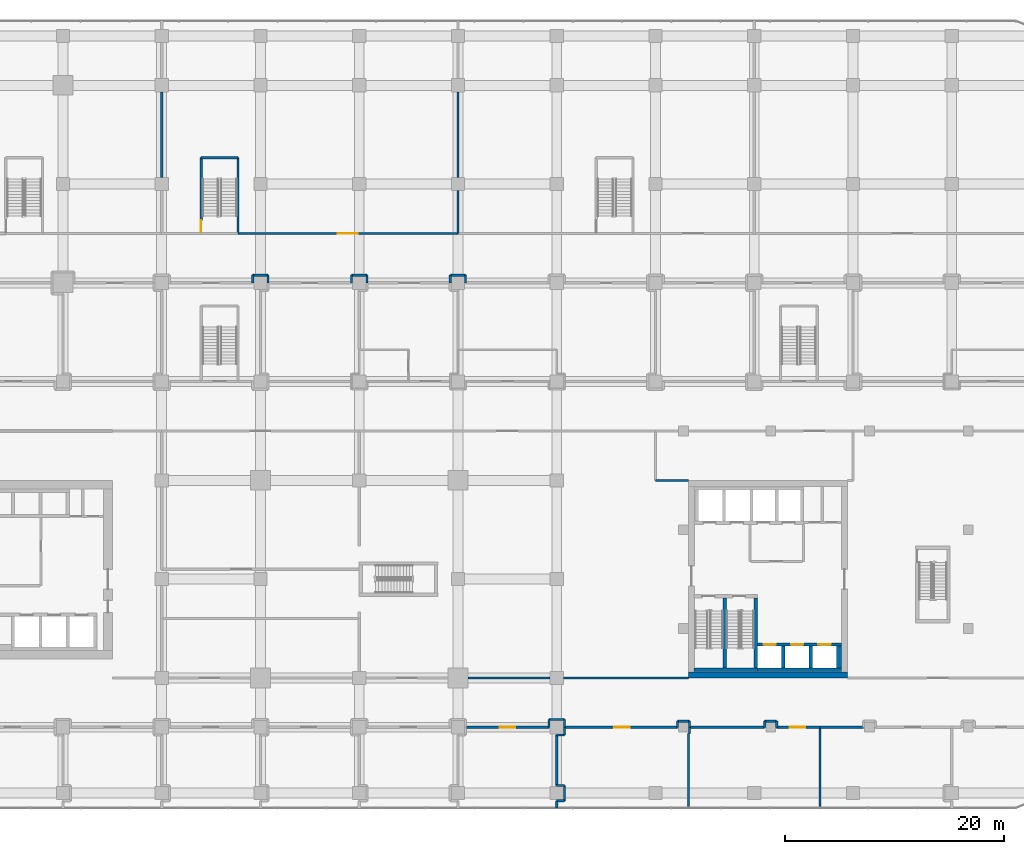
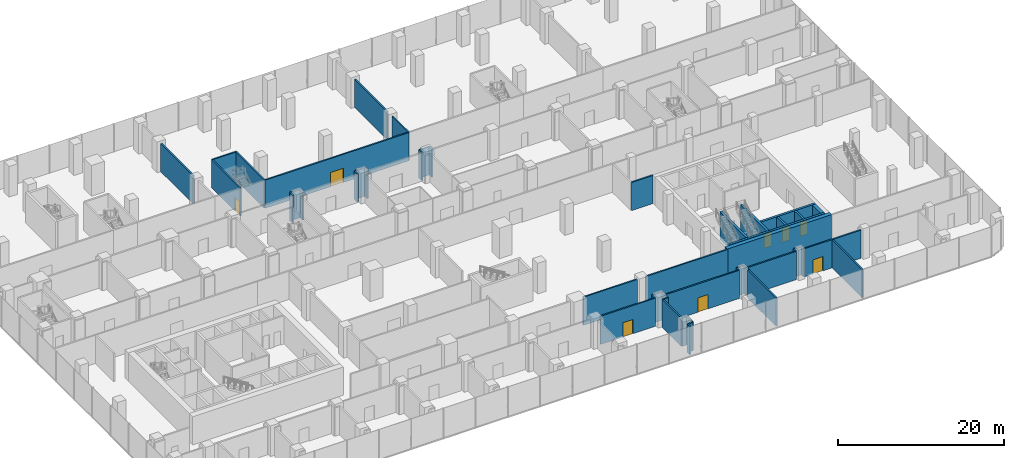
# One storey, part 33 of 43: 52 walls, 8 doors, 8 openings.
"""IFC4 building model written with IfcOpenShell, lengths in metres."""

import ifcopenshell
import ifcopenshell.guid

model = None  # the IFC model being written
_history = None  # IfcOwnerHistory: only IFC2X3 demands one
_inside = {}  # id of a spatial element -> (the spatial element, [elements in it])
_under = {}  # id of a project, library or spatial element -> (it, [spatial elements below it])
_declared = {}  # id of a project -> (the project, [libraries it declares])
_typed = {}  # id of a type object -> (the type object, [elements of that type])
_made_of = {}  # id of a material, layer set ... -> (it, [elements and type objects made of it])


def new_model(schema):
    """Start an empty IFC model of exactly this schema.

    Asked for "IFC4X3", IfcOpenShell would pick the latest addendum, in which some entities
    have other attributes; the version numbers below select the first issue.
    IFC2X3 requires an IfcOwnerHistory on every rooted entity: one is made here for all.
    """
    global model, _history
    if schema == "IFC4X3":
        model = ifcopenshell.file(schema_version=(4, 3, 0, 0))
    else:
        model = ifcopenshell.file(schema=schema)
    _inside.clear()
    _under.clear()
    _declared.clear()
    _typed.clear()
    _made_of.clear()
    _history = None
    if model.schema == "IFC2X3":
        org = make("IfcOrganization", Name="unknown")
        user = make(
            "IfcPersonAndOrganization",
            ThePerson=make("IfcPerson", FamilyName="unknown"),
            TheOrganization=org,
        )
        app = make(
            "IfcApplication",
            ApplicationDeveloper=org,
            Version="unknown",
            ApplicationFullName="unknown",
            ApplicationIdentifier="unknown",
        )
        _history = make(
            "IfcOwnerHistory",
            OwningUser=user,
            OwningApplication=app,
            ChangeAction="ADDED",
            CreationDate=0,
        )
    return model


def make(cls, **values):
    """One entity of the class cls with the attributes given. An attribute that is None is left unset."""
    return model.create_entity(
        cls, **{name: value for name, value in values.items() if value is not None}
    )


def rooted(cls, **values):
    """An entity with a GlobalId (a new one), such as an element, a storey or a relation."""
    return make(cls, GlobalId=ifcopenshell.guid.new(), OwnerHistory=_history, **values)


def si_unit(unit_type, name, prefix=None):
    """IfcSIUnit, for example si_unit("LENGTHUNIT", "METRE", prefix="MILLI")."""
    return make("IfcSIUnit", UnitType=unit_type, Prefix=prefix, Name=name)


def assignment(units):
    """IfcUnitAssignment: the units of a project."""
    return None if units is None else make("IfcUnitAssignment", Units=units)


def point(xyz):
    """IfcCartesianPoint."""
    return None if xyz is None else make("IfcCartesianPoint", Coordinates=xyz)


def direction(xyz):
    """IfcDirection."""
    return None if xyz is None else make("IfcDirection", DirectionRatios=xyz)


def frame(location, z_axis=None, x_axis=None):
    """IfcAxis2Placement3D, a coordinate frame: its origin and axes. An axis left out is left unset."""
    return make(
        "IfcAxis2Placement3D",
        Location=point(location),
        Axis=direction(z_axis),
        RefDirection=direction(x_axis),
    )


def frame_2d(location, x_axis=None):
    """IfcAxis2Placement2D, a coordinate frame in the plane: its origin and x axis."""
    return make(
        "IfcAxis2Placement2D", Location=point(location), RefDirection=direction(x_axis)
    )


def origin():
    """The frame at (0, 0, 0) with its axes left unset."""
    return frame((0.0, 0.0, 0.0))


def place(relative_to, where):
    """IfcLocalPlacement: puts the frame where relative to a parent placement (None: the world)."""
    return make(
        "IfcLocalPlacement", PlacementRelTo=relative_to, RelativePlacement=where
    )


def context(
    kind, dimensions, precision=None, world=None, true_north=None, identifier=None
):
    """IfcGeometricRepresentationContext, for example the 3D "Model" context."""
    return make(
        "IfcGeometricRepresentationContext",
        ContextIdentifier=identifier,
        ContextType=kind,
        CoordinateSpaceDimension=dimensions,
        Precision=precision,
        WorldCoordinateSystem=world,
        TrueNorth=true_north,
    )


def subcontext(parent, identifier, kind, view, scale=None):
    """IfcGeometricRepresentationSubContext, for example "Body" below "Model"."""
    return make(
        "IfcGeometricRepresentationSubContext",
        ContextIdentifier=identifier,
        ContextType=kind,
        ParentContext=parent,
        TargetScale=scale,
        TargetView=view,
    )


def project(units=None, contexts=None):
    """IfcProject with its units and contexts."""
    return rooted(
        "IfcProject",
        Name="project",
        RepresentationContexts=contexts,
        UnitsInContext=assignment(units),
    )


def spatial(cls, under=None, at=None, **own):
    """A site, building, storey or space (cls), placed at a placement, below another one or the project."""
    s = rooted(cls, ObjectPlacement=at, **own)
    if under is not None:
        _under.setdefault(under.id(), (under, []))[1].append(s)
    return s


def profile(cls, at=None, kind="AREA", **sizes):
    """A parametric profile (cls). Its sizes go by their IFC names, for example OverallWidth=200.0."""
    return make(cls, ProfileType=kind, Position=at, **sizes)


def rectangle(**sizes):
    """IfcRectangleProfileDef."""
    return profile("IfcRectangleProfileDef", **sizes)


def extrude(swept, where, along, depth):
    """IfcExtrudedAreaSolid: the profile swept, set in the frame where, extruded along a direction by depth."""
    return make(
        "IfcExtrudedAreaSolid",
        SweptArea=swept,
        Position=where,
        ExtrudedDirection=direction(along),
        Depth=depth,
    )


def shape(context_of_items, identifier, shape_type, items):
    """IfcShapeRepresentation: the items that make up one representation, for example the "Body"."""
    return make(
        "IfcShapeRepresentation",
        ContextOfItems=context_of_items,
        RepresentationIdentifier=identifier,
        RepresentationType=shape_type,
        Items=items,
    )


def material(Name=None, Category=None):
    """IfcMaterial."""
    return make("IfcMaterial", Name=Name, Category=Category)


def layer(
    of_material, thickness, ventilated=None, Name=None, Category=None, Priority=None
):
    """IfcMaterialLayer: one layer of a wall or slab, of a material (None: an air gap)."""
    return make(
        "IfcMaterialLayer",
        Material=of_material,
        LayerThickness=thickness,
        IsVentilated=ventilated,
        Name=Name,
        Category=Category,
        Priority=Priority,
    )


def layer_set(layers, Name=None):
    """IfcMaterialLayerSet."""
    return make("IfcMaterialLayerSet", MaterialLayers=layers, LayerSetName=Name)


def made_of(thing, what):
    """Note that an element or type object is made of a material, layer set ...; save() writes the relation."""
    if what is not None:
        _made_of.setdefault(what.id(), (what, []))[1].append(thing)
    return thing


def type_object(cls, material=None, **own):
    """A type object (cls), such as IfcWallType, which elements share."""
    return made_of(rooted(cls, **own), material)


def element(
    cls,
    number,
    at=None,
    inside=None,
    cuts=None,
    type_object=None,
    material=None,
    context=None,
    identifier="Body",
    shape_type=None,
    held_by="IfcProductDefinitionShape",
    body=None,
    shapes=None,
    **own,
):
    """One element of the class cls, such as IfcWall. Its Tag is "e" and its number.

    at: its placement. inside: the storey or other place that contains it. cuts: it is an
    opening in that element (IfcRelVoidsElement). A single representation is given by context,
    identifier, shape_type and body (its items); several are given by shapes. held_by: the class
    of the entity that holds the representations. save() writes the other relations.
    """
    e = rooted(cls, Tag="e%d" % number, ObjectPlacement=at, **own)
    if body is not None:
        shapes = [shape(context, identifier, shape_type, body)]
    if shapes is not None:
        e.Representation = make(held_by, Representations=shapes)
    if inside is not None:
        _inside.setdefault(inside.id(), (inside, []))[1].append(e)
    if cuts is not None:
        rooted(
            "IfcRelVoidsElement", RelatingBuildingElement=cuts, RelatedOpeningElement=e
        )
    if type_object is not None:
        _typed.setdefault(type_object.id(), (type_object, []))[1].append(e)
    return made_of(e, material)


def fill(opening, filler):
    """IfcRelFillsElement: the door or window that sits in an opening."""
    return rooted(
        "IfcRelFillsElement",
        RelatingOpeningElement=opening,
        RelatedBuildingElement=filler,
    )


def aggregate(whole, parts):
    """IfcRelAggregates: a whole, such as a stair, and the parts it consists of."""
    return rooted("IfcRelAggregates", RelatingObject=whole, RelatedObjects=parts)


def save(model, path):
    """Write the relations noted so far, then the file.

    IfcRelAggregates (storeys below a building ...), IfcRelContainedInSpatialStructure (elements
    in a storey), IfcRelDefinesByType, IfcRelAssociatesMaterial and IfcRelDeclares: one each for
    every whole, place, type object, material and project.
    """
    for whole, parts in _under.values():
        aggregate(whole, parts)
    for where, things in _inside.values():
        rooted(
            "IfcRelContainedInSpatialStructure",
            RelatedElements=things,
            RelatingStructure=where,
        )
    for kind, things in _typed.values():
        rooted("IfcRelDefinesByType", RelatedObjects=things, RelatingType=kind)
    for what, things in _made_of.values():
        rooted("IfcRelAssociatesMaterial", RelatedObjects=things, RelatingMaterial=what)
    for by, libraries in _declared.values():
        rooted("IfcRelDeclares", RelatingContext=by, RelatedDefinitions=libraries)
    model.write(path)


model = new_model("IFC4")

# Units and contexts
model_context = context("Model", 3, precision=1e-05, world=origin(), true_north=direction((0.0, 1.0)))
body_context = subcontext(model_context, "Body", "Model", "MODEL_VIEW")
ifc_project = project(units=[si_unit("LENGTHUNIT", "METRE"), si_unit("AREAUNIT", "SQUARE_METRE"), si_unit("VOLUMEUNIT", "CUBIC_METRE"), si_unit("PLANEANGLEUNIT", "RADIAN"), si_unit("MASSUNIT", "GRAM", prefix="KILO")], contexts=[model_context])

# Site, building, storey
site_placement = place(None, origin())
site = spatial("IfcSite", under=ifc_project, at=site_placement, CompositionType="ELEMENT")
building_placement = place(site_placement, origin())
building = spatial("IfcBuilding", under=site, at=building_placement, Name="Plateau Cross Towers", CompositionType="ELEMENT")
storey_placement = place(building_placement, frame((0.0, 0.0, 17.300048828125)))
storey = spatial("IfcBuildingStorey", under=building, at=storey_placement, Name="L03", CompositionType="ELEMENT", Elevation=17.300048828125)

# Walls
ifc_material_1 = material(Name="Concrete C60/75", Category="concrete")
ifc_layer_1 = layer(ifc_material_1, 0.300048828125)
ifc_layer_set_1 = layer_set([ifc_layer_1], Name="Concrete C60/75")
wall_type_1 = type_object("IfcWallType", Name="Core shaft wall 300", PredefinedType="SHEAR", material=ifc_layer_set_1)
wall_1_placement = place(storey_placement, frame((75.530029296875, 0.75, 0.0), z_axis=(0.0, 0.0, 1.0), x_axis=(1.0, 0.0, 0.0)))
element("IfcWall", 1, at=wall_1_placement, inside=storey, type_object=wall_type_1, Name="B-sb-stS@L03", PredefinedType="SHEAR", context=body_context, shape_type="SweptSolid", body=[
    extrude(rectangle(XDim=5.77001953125, YDim=0.300048828125, at=frame_2d((2.885009765625, 0.0))), origin(), (0.0, 0.0, 1.0), 4.14990234375),
])
for number, where, z_axis, x_axis, name in (
    (2, (78.300048828125, 0.89990234375, 0.0), (0.0, 0.0, 1.0), (0.0, 1.0, 0.0), "B-sb-st1@L03"),
    (3, (81.14990234375, 0.89990234375, 0.0), (0.0, 0.0, 1.0), (0.0, 1.0, 0.0), "B-sb-st2@L03"),
):
    element("IfcWall", number, at=place(storey_placement, frame(where, z_axis=z_axis, x_axis=x_axis)), inside=storey, type_object=wall_type_1, Name=name, PredefinedType="SHEAR", context=body_context, shape_type="SweptSolid", body=[
        extrude(rectangle(XDim=6.400146484375, YDim=0.300048828125, at=frame_2d((3.2001953125, 0.0))), origin(), (0.0, 0.0, 1.0), 4.14990234375),
    ])
wall_2_placement = place(storey_placement, frame((81.300048828125, 0.75, 0.0), z_axis=(0.0, 0.0, 1.0), x_axis=(1.0, 0.0, 0.0)))
element("IfcWall", 4, at=wall_2_placement, inside=storey, type_object=wall_type_1, Name="B-sb-back@L03", PredefinedType="SHEAR", context=body_context, shape_type="SweptSolid", body=[
    extrude(rectangle(XDim=7.64990234375, YDim=0.300048828125, at=frame_2d((3.824951171875, 0.0))), origin(), (0.0, 0.0, 1.0), 4.14990234375),
])
for number, where, z_axis, x_axis, name in (
    (5, (83.64990234375, 0.89990234375, 0.0), (0.0, 0.0, 1.0), (0.0, 1.0, 0.0), "B-sb-v1@L03"),
    (6, (86.14990234375, 0.89990234375, 0.0), (0.0, 0.0, 1.0), (0.0, 1.0, 0.0), "B-sb-v2@L03"),
):
    element("IfcWall", number, at=place(storey_placement, frame(where, z_axis=z_axis, x_axis=x_axis)), inside=storey, type_object=wall_type_1, Name=name, PredefinedType="SHEAR", context=body_context, shape_type="SweptSolid", body=[
        extrude(rectangle(XDim=2.0, YDim=0.300048828125, at=frame_2d((1.0, 0.0))), origin(), (0.0, 0.0, 1.0), 4.14990234375),
    ])

# Wall, openings, doors
wall_3_placement = place(storey_placement, frame((81.300048828125, 3.050048828125, 0.0), z_axis=(0.0, 0.0, 1.0), x_axis=(1.0, 0.0, 0.0)))
wall_3 = element("IfcWall", 7, at=wall_3_placement, inside=storey, type_object=wall_type_1, Name="B-sb-front@L03", PredefinedType="SHEAR", context=body_context, shape_type="SweptSolid", body=[
    extrude(rectangle(XDim=7.64990234375, YDim=0.300048828125, at=frame_2d((3.824951171875, 0.0))), origin(), (0.0, 0.0, 1.0), 4.14990234375),
])
opening_1_placement = place(wall_3_placement, frame((0.550048828125, 0.0, 0.0)))
opening_1 = element("IfcOpeningElement", 8, at=opening_1_placement, cuts=wall_3, Name="Opening LD", PredefinedType="OPENING", context=body_context, shape_type="SweptSolid", body=[
    extrude(rectangle(XDim=1.10009765625, YDim=2.10009765625, at=frame_2d((0.550048828125, 1.050048828125))), frame((0.0, 0.159912109375, 0.0), z_axis=(0.0, -1.0, 0.0), x_axis=(1.0, 0.0, 0.0)), (0.0, 0.0, 1.0), 0.320068359375),
])
opening_2_placement = place(wall_3_placement, frame((3.050048828125, 0.0, 0.0)))
opening_2 = element("IfcOpeningElement", 9, at=opening_2_placement, cuts=wall_3, Name="Opening LD", PredefinedType="OPENING", context=body_context, shape_type="SweptSolid", body=[
    extrude(rectangle(XDim=1.10009765625, YDim=2.10009765625, at=frame_2d((0.550048828125, 1.050048828125))), frame((0.0, 0.159912109375, 0.0), z_axis=(0.0, -1.0, 0.0), x_axis=(1.0, 0.0, 0.0)), (0.0, 0.0, 1.0), 0.320068359375),
])
opening_3_placement = place(wall_3_placement, frame((5.550048828125, 0.0, 0.0)))
opening_3 = element("IfcOpeningElement", 10, at=opening_3_placement, cuts=wall_3, Name="Opening LD", PredefinedType="OPENING", context=body_context, shape_type="SweptSolid", body=[
    extrude(rectangle(XDim=1.10009765625, YDim=2.10009765625, at=frame_2d((0.550048828125, 1.050048828125))), frame((0.0, 0.159912109375, 0.0), z_axis=(0.0, -1.0, 0.0), x_axis=(1.0, 0.0, 0.0)), (0.0, 0.0, 1.0), 0.320068359375),
])
ifc_material_2 = material(Name="Stainless steel, fire-resisting sliding leaves", Category="steel")
door_type_1 = type_object("IfcDoorType", Name="Lift landing door 1100", OperationType="NOTDEFINED", PredefinedType="DOOR", material=ifc_material_2)
door_1_placement = place(opening_1_placement, origin())
door_1 = element("IfcDoor", 11, at=door_1_placement, inside=storey, type_object=door_type_1, Name="Lift landing door LD", OperationType="DOUBLE_DOOR_SLIDING", OverallHeight=2.10009765625, OverallWidth=1.10009765625, PredefinedType="DOOR", context=body_context, shape_type="SweptSolid", body=[
    extrude(rectangle(XDim=1.10009765625, YDim=2.10009765625, at=frame_2d((0.550048828125, 1.050048828125))), frame((0.0, 0.02490234375, 0.0), z_axis=(0.0, -1.0, 0.0), x_axis=(1.0, 0.0, 0.0)), (0.0, 0.0, 1.0), 0.050048828125),
])
fill(opening_1, door_1)
door_2_placement = place(opening_2_placement, origin())
door_2 = element("IfcDoor", 12, at=door_2_placement, inside=storey, type_object=door_type_1, Name="Lift landing door LD", OperationType="DOUBLE_DOOR_SLIDING", OverallHeight=2.10009765625, OverallWidth=1.10009765625, PredefinedType="DOOR", context=body_context, shape_type="SweptSolid", body=[
    extrude(rectangle(XDim=1.10009765625, YDim=2.10009765625, at=frame_2d((0.550048828125, 1.050048828125))), frame((0.0, 0.02490234375, 0.0), z_axis=(0.0, -1.0, 0.0), x_axis=(1.0, 0.0, 0.0)), (0.0, 0.0, 1.0), 0.050048828125),
])
fill(opening_2, door_2)
door_3_placement = place(opening_3_placement, origin())
door_3 = element("IfcDoor", 13, at=door_3_placement, inside=storey, type_object=door_type_1, Name="Lift landing door LD", OperationType="DOUBLE_DOOR_SLIDING", OverallHeight=2.10009765625, OverallWidth=1.10009765625, PredefinedType="DOOR", context=body_context, shape_type="SweptSolid", body=[
    extrude(rectangle(XDim=1.10009765625, YDim=2.10009765625, at=frame_2d((0.550048828125, 1.050048828125))), frame((0.0, 0.02490234375, 0.0), z_axis=(0.0, -1.0, 0.0), x_axis=(1.0, 0.0, 0.0)), (0.0, 0.0, 1.0), 0.050048828125),
])
fill(opening_3, door_3)

# Walls
ifc_layer_2 = layer(ifc_material_1, 0.449951171875)
ifc_layer_set_2 = layer_set([ifc_layer_2], Name="Concrete C60/75")
wall_type_2 = type_object("IfcWallType", Name="Core shaft wall 450", PredefinedType="SHEAR", material=ifc_layer_set_2)
wall_4_placement = place(storey_placement, frame((88.72509765625, 0.89990234375, 0.0), z_axis=(0.0, 0.0, 1.0), x_axis=(0.0, 1.0, 0.0)))
element("IfcWall", 14, at=wall_4_placement, inside=storey, type_object=wall_type_2, Name="B-sb-v3@L03", PredefinedType="SHEAR", context=body_context, shape_type="SweptSolid", body=[
    extrude(rectangle(XDim=2.0, YDim=0.449951171875, at=frame_2d((1.0, 0.0))), origin(), (0.0, 0.0, 1.0), 4.14990234375),
])
ifc_layer_3 = layer(ifc_material_1, 0.550048828125)
ifc_layer_set_3 = layer_set([ifc_layer_3], Name="Concrete C60/75")
wall_type_3 = type_object("IfcWallType", Name="Core shell wall 550", PredefinedType="SHEAR", material=ifc_layer_set_3)
wall_5_placement = place(storey_placement, frame((75.0, 0.27490234375, 0.0), z_axis=(0.0, 0.0, 1.0), x_axis=(1.0, 0.0, 0.0)))
element("IfcWall", 15, at=wall_5_placement, inside=storey, type_object=wall_type_3, Name="B-core-S@L03", PredefinedType="SHEAR", context=body_context, shape_type="SweptSolid", body=[
    extrude(rectangle(XDim=14.5, YDim=0.550048828125, at=frame_2d((7.25, 0.0))), origin(), (0.0, 0.0, 1.0), 4.14990234375),
])
ifc_material_3 = material(Name="Gypsum board on steel studs", Category="steel")
ifc_layer_4 = layer(ifc_material_3, 0.199951171875)
ifc_layer_set_4 = layer_set([ifc_layer_4], Name="Gypsum board on steel studs")
wall_type_4 = type_object("IfcWallType", Name="Podium partition 200", PredefinedType="PARTITIONING", material=ifc_layer_set_4)
wall_6_placement = place(storey_placement, frame((54.89990234375, 0.0, 0.0), z_axis=(0.0, 0.0, 1.0), x_axis=(1.0, 0.0, 0.0)))
element("IfcWall", 16, at=wall_6_placement, inside=storey, type_object=wall_type_4, Name="Partition wall", PredefinedType="PARTITIONING", context=body_context, shape_type="SweptSolid", body=[
    extrude(rectangle(XDim=7.5, YDim=0.199951171875, at=frame_2d((3.75, 0.0))), origin(), (0.0, 0.0, 1.0), 4.14990234375),
])
wall_7_placement = place(storey_placement, frame((63.60009765625, 0.0, 0.0), z_axis=(0.0, 0.0, 1.0), x_axis=(1.0, 0.0, 0.0)))
element("IfcWall", 17, at=wall_7_placement, inside=storey, type_object=wall_type_4, Name="Partition wall", PredefinedType="PARTITIONING", context=body_context, shape_type="SweptSolid", body=[
    extrude(rectangle(XDim=11.39990234375, YDim=0.199951171875, at=frame_2d((5.699951171875, 0.0))), origin(), (0.0, 0.0, 1.0), 4.14990234375),
])
wall_8_placement = place(storey_placement, frame((54.699951171875, 36.0, 0.0), z_axis=(0.0, 0.0, 1.0), x_axis=(0.0, 1.0, 0.0)))
element("IfcWall", 18, at=wall_8_placement, inside=storey, type_object=wall_type_4, Name="Partition wall", PredefinedType="PARTITIONING", context=body_context, shape_type="SweptSolid", body=[
    extrude(rectangle(XDim=0.699951171875, YDim=0.199951171875, at=frame_2d((0.35009765625, 0.0))), origin(), (0.0, 0.0, 1.0), 4.14990234375),
])
wall_9_placement = place(storey_placement, frame((54.699951171875, 36.699951171875, 0.0), z_axis=(0.0, 0.0, 1.0), x_axis=(-1.0, 0.0, 0.0)))
element("IfcWall", 19, at=wall_9_placement, inside=storey, type_object=wall_type_4, Name="Partition wall", PredefinedType="PARTITIONING", context=body_context, shape_type="SweptSolid", body=[
    extrude(rectangle(XDim=1.39990234375, YDim=0.199951171875, at=frame_2d((0.699951171875, 0.0))), origin(), (0.0, 0.0, 1.0), 4.14990234375),
])
wall_10_placement = place(storey_placement, frame((53.300048828125, 36.699951171875, 0.0), z_axis=(0.0, 0.0, 1.0), x_axis=(0.0, -1.0, 0.0)))
element("IfcWall", 20, at=wall_10_placement, inside=storey, type_object=wall_type_4, Name="Partition wall", PredefinedType="PARTITIONING", context=body_context, shape_type="SweptSolid", body=[
    extrude(rectangle(XDim=0.699951171875, YDim=0.199951171875, at=frame_2d((0.35009765625, 0.0))), origin(), (0.0, 0.0, 1.0), 4.14990234375),
])

# Wall, opening, door
wall_11_placement = place(storey_placement, frame((33.949951171875, 40.5, 0.0), z_axis=(0.0, 0.0, 1.0), x_axis=(1.0, 0.0, 0.0)))
wall_11 = element("IfcWall", 21, at=wall_11_placement, inside=storey, type_object=wall_type_4, Name="Partition wall", PredefinedType="PARTITIONING", context=body_context, shape_type="SweptSolid", body=[
    extrude(rectangle(XDim=20.050048828125, YDim=0.199951171875, at=frame_2d((10.02490234375, 0.0))), origin(), (0.0, 0.0, 1.0), 4.14990234375),
])
opening_4_placement = place(wall_11_placement, frame((9.10009765625, 0.0, 0.0)))
opening_4 = element("IfcOpeningElement", 22, at=opening_4_placement, cuts=wall_11, Name="Opening 03-39", PredefinedType="OPENING", context=body_context, shape_type="SweptSolid", body=[
    extrude(rectangle(XDim=1.800048828125, YDim=2.10009765625, at=frame_2d((0.89990234375, 1.050048828125))), frame((0.0, 0.10986328125, 0.0), z_axis=(0.0, -1.0, 0.0), x_axis=(1.0, 0.0, 0.0)), (0.0, 0.0, 1.0), 0.219970703125),
])
ifc_material_4 = material(Name="Aluminium frame, toughened glass", Category="aluminium")
door_type_2 = type_object("IfcDoorType", Name="Podium door pair 1800", OperationType="NOTDEFINED", PredefinedType="DOOR", material=ifc_material_4)
door_4_placement = place(opening_4_placement, origin())
door_4 = element("IfcDoor", 23, at=door_4_placement, inside=storey, type_object=door_type_2, Name="Door 03-39", OperationType="DOUBLE_DOOR_SINGLE_SWING", OverallHeight=2.10009765625, OverallWidth=1.800048828125, PredefinedType="DOOR", context=body_context, shape_type="SweptSolid", body=[
    extrude(rectangle(XDim=1.800048828125, YDim=2.10009765625, at=frame_2d((0.89990234375, 1.050048828125))), frame((0.0, 0.02490234375, 0.0), z_axis=(0.0, -1.0, 0.0), x_axis=(1.0, 0.0, 0.0)), (0.0, 0.0, 1.0), 0.050048828125),
])
fill(opening_4, door_4)

# Walls
wall_12_placement = place(storey_placement, frame((54.0, 53.39990234375, 0.0), z_axis=(0.0, 0.0, 1.0), x_axis=(0.0, -1.0, 0.0)))
element("IfcWall", 24, at=wall_12_placement, inside=storey, type_object=wall_type_4, Name="Partition wall", PredefinedType="PARTITIONING", context=body_context, shape_type="SweptSolid", body=[
    extrude(rectangle(XDim=7.7998046875, YDim=0.199951171875, at=frame_2d((3.89990234375, 0.0))), origin(), (0.0, 0.0, 1.0), 4.14990234375),
])
wall_13_placement = place(storey_placement, frame((54.0, 44.39990234375, 0.0), z_axis=(0.0, 0.0, 1.0), x_axis=(0.0, -1.0, 0.0)))
element("IfcWall", 25, at=wall_13_placement, inside=storey, type_object=wall_type_4, Name="Partition wall", PredefinedType="PARTITIONING", context=body_context, shape_type="SweptSolid", body=[
    extrude(rectangle(XDim=3.89990234375, YDim=0.199951171875, at=frame_2d((1.949951171875, 0.0))), origin(), (0.0, 0.0, 1.0), 4.14990234375),
])
wall_14_placement = place(storey_placement, frame((27.0, 53.39990234375, 0.0), z_axis=(0.0, 0.0, 1.0), x_axis=(0.0, -1.0, 0.0)))
element("IfcWall", 26, at=wall_14_placement, inside=storey, type_object=wall_type_4, Name="Partition wall", PredefinedType="PARTITIONING", context=body_context, shape_type="SweptSolid", body=[
    extrude(rectangle(XDim=7.7998046875, YDim=0.199951171875, at=frame_2d((3.89990234375, 0.0))), origin(), (0.0, 0.0, 1.0), 4.14990234375),
])
wall_15_placement = place(storey_placement, frame((36.699951171875, 36.0, 0.0), z_axis=(0.0, 0.0, 1.0), x_axis=(0.0, 1.0, 0.0)))
element("IfcWall", 27, at=wall_15_placement, inside=storey, type_object=wall_type_4, Name="Partition wall", PredefinedType="PARTITIONING", context=body_context, shape_type="SweptSolid", body=[
    extrude(rectangle(XDim=0.699951171875, YDim=0.199951171875, at=frame_2d((0.35009765625, 0.0))), origin(), (0.0, 0.0, 1.0), 4.14990234375),
])
wall_16_placement = place(storey_placement, frame((36.699951171875, 36.699951171875, 0.0), z_axis=(0.0, 0.0, 1.0), x_axis=(-1.0, 0.0, 0.0)))
element("IfcWall", 28, at=wall_16_placement, inside=storey, type_object=wall_type_4, Name="Partition wall", PredefinedType="PARTITIONING", context=body_context, shape_type="SweptSolid", body=[
    extrude(rectangle(XDim=1.39990234375, YDim=0.199951171875, at=frame_2d((0.699951171875, 0.0))), origin(), (0.0, 0.0, 1.0), 4.14990234375),
])
wall_17_placement = place(storey_placement, frame((35.300048828125, 36.699951171875, 0.0), z_axis=(0.0, 0.0, 1.0), x_axis=(0.0, -1.0, 0.0)))
element("IfcWall", 29, at=wall_17_placement, inside=storey, type_object=wall_type_4, Name="Partition wall", PredefinedType="PARTITIONING", context=body_context, shape_type="SweptSolid", body=[
    extrude(rectangle(XDim=0.699951171875, YDim=0.199951171875, at=frame_2d((0.35009765625, 0.0))), origin(), (0.0, 0.0, 1.0), 4.14990234375),
])
wall_18_placement = place(storey_placement, frame((90.949951171875, -4.5, 0.0), z_axis=(0.0, 0.0, 1.0), x_axis=(-1.0, 0.0, 0.0)))
element("IfcWall", 30, at=wall_18_placement, inside=storey, type_object=wall_type_4, Name="Partition wall", PredefinedType="PARTITIONING", context=body_context, shape_type="SweptSolid", body=[
    extrude(rectangle(XDim=3.949951171875, YDim=0.199951171875, at=frame_2d((1.97509765625, 0.0))), origin(), (0.0, 0.0, 1.0), 4.14990234375),
])

# Wall, opening, door
wall_19_placement = place(storey_placement, frame((87.0, -4.5, 0.0), z_axis=(0.0, 0.0, 1.0), x_axis=(-1.0, 0.0, 0.0)))
wall_19 = element("IfcWall", 31, at=wall_19_placement, inside=storey, type_object=wall_type_4, Name="Partition wall", PredefinedType="PARTITIONING", context=body_context, shape_type="SweptSolid", body=[
    extrude(rectangle(XDim=3.949951171875, YDim=0.199951171875, at=frame_2d((1.97509765625, 0.0))), origin(), (0.0, 0.0, 1.0), 4.14990234375),
])
opening_5_placement = place(wall_19_placement, frame((1.35009765625, 0.0, 0.0)))
opening_5 = element("IfcOpeningElement", 32, at=opening_5_placement, cuts=wall_19, Name="Opening 03-16", PredefinedType="OPENING", context=body_context, shape_type="SweptSolid", body=[
    extrude(rectangle(XDim=1.39990234375, YDim=2.10009765625, at=frame_2d((0.699951171875, 1.050048828125))), frame((0.0, 0.10986328125, 0.0), z_axis=(0.0, -1.0, 0.0), x_axis=(1.0, 0.0, 0.0)), (0.0, 0.0, 1.0), 0.219970703125),
])
ifc_material_5 = material(Name="Timber, hospital grade leaf", Category="wood")
door_type_3 = type_object("IfcDoorType", Name="Clinic bed access door 1400x2100", OperationType="NOTDEFINED", PredefinedType="DOOR", material=ifc_material_5)
door_5_placement = place(opening_5_placement, origin())
door_5 = element("IfcDoor", 33, at=door_5_placement, inside=storey, type_object=door_type_3, Name="Door 03-16", OperationType="SINGLE_SWING_LEFT", OverallHeight=2.10009765625, OverallWidth=1.39990234375, PredefinedType="DOOR", context=body_context, shape_type="SweptSolid", body=[
    extrude(rectangle(XDim=1.39990234375, YDim=2.10009765625, at=frame_2d((0.699951171875, 1.050048828125))), frame((0.0, 0.02490234375, 0.0), z_axis=(0.0, -1.0, 0.0), x_axis=(1.0, 0.0, 0.0)), (0.0, 0.0, 1.0), 0.050048828125),
])
fill(opening_5, door_5)

# Walls
wall_20_placement = place(storey_placement, frame((83.050048828125, -4.5, 0.0), z_axis=(0.0, 0.0, 1.0), x_axis=(0.0, 1.0, 0.0)))
element("IfcWall", 34, at=wall_20_placement, inside=storey, type_object=wall_type_4, Name="Partition wall", PredefinedType="PARTITIONING", context=body_context, shape_type="SweptSolid", body=[
    extrude(rectangle(XDim=0.550048828125, YDim=0.199951171875, at=frame_2d((0.27490234375, 0.0))), origin(), (0.0, 0.0, 1.0), 4.14990234375),
])
wall_21_placement = place(storey_placement, frame((83.050048828125, -3.949951171875, 0.0), z_axis=(0.0, 0.0, 1.0), x_axis=(-1.0, 0.0, 0.0)))
element("IfcWall", 35, at=wall_21_placement, inside=storey, type_object=wall_type_4, Name="Partition wall", PredefinedType="PARTITIONING", context=body_context, shape_type="SweptSolid", body=[
    extrude(rectangle(XDim=1.10009765625, YDim=0.199951171875, at=frame_2d((0.550048828125, 0.0))), origin(), (0.0, 0.0, 1.0), 4.14990234375),
])
wall_22_placement = place(storey_placement, frame((81.949951171875, -3.949951171875, 0.0), z_axis=(0.0, 0.0, 1.0), x_axis=(0.0, -1.0, 0.0)))
element("IfcWall", 36, at=wall_22_placement, inside=storey, type_object=wall_type_4, Name="Partition wall", PredefinedType="PARTITIONING", context=body_context, shape_type="SweptSolid", body=[
    extrude(rectangle(XDim=0.550048828125, YDim=0.199951171875, at=frame_2d((0.27490234375, 0.0))), origin(), (0.0, 0.0, 1.0), 4.14990234375),
])
wall_23_placement = place(storey_placement, frame((81.949951171875, -4.5, 0.0), z_axis=(0.0, 0.0, 1.0), x_axis=(-1.0, 0.0, 0.0)))
element("IfcWall", 37, at=wall_23_placement, inside=storey, type_object=wall_type_4, Name="Partition wall", PredefinedType="PARTITIONING", context=body_context, shape_type="SweptSolid", body=[
    extrude(rectangle(XDim=6.849853515625, YDim=0.199951171875, at=frame_2d((3.4248046875, 0.0))), origin(), (0.0, 0.0, 1.0), 4.14990234375),
])
wall_24_placement = place(storey_placement, frame((75.10009765625, -4.5, 0.0), z_axis=(0.0, 0.0, 1.0), x_axis=(0.0, 1.0, 0.0)))
element("IfcWall", 38, at=wall_24_placement, inside=storey, type_object=wall_type_4, Name="Partition wall", PredefinedType="PARTITIONING", context=body_context, shape_type="SweptSolid", body=[
    extrude(rectangle(XDim=0.550048828125, YDim=0.199951171875, at=frame_2d((0.27490234375, 0.0))), origin(), (0.0, 0.0, 1.0), 4.14990234375),
])
wall_25_placement = place(storey_placement, frame((75.10009765625, -3.949951171875, 0.0), z_axis=(0.0, 0.0, 1.0), x_axis=(-1.0, 0.0, 0.0)))
element("IfcWall", 39, at=wall_25_placement, inside=storey, type_object=wall_type_4, Name="Partition wall", PredefinedType="PARTITIONING", context=body_context, shape_type="SweptSolid", body=[
    extrude(rectangle(XDim=1.10009765625, YDim=0.199951171875, at=frame_2d((0.550048828125, 0.0))), origin(), (0.0, 0.0, 1.0), 4.14990234375),
])
wall_26_placement = place(storey_placement, frame((74.0, -3.949951171875, 0.0), z_axis=(0.0, 0.0, 1.0), x_axis=(0.0, -1.0, 0.0)))
element("IfcWall", 40, at=wall_26_placement, inside=storey, type_object=wall_type_4, Name="Partition wall", PredefinedType="PARTITIONING", context=body_context, shape_type="SweptSolid", body=[
    extrude(rectangle(XDim=0.550048828125, YDim=0.199951171875, at=frame_2d((0.27490234375, 0.0))), origin(), (0.0, 0.0, 1.0), 4.14990234375),
])

# Wall, opening, door
wall_27_placement = place(storey_placement, frame((74.0, -4.5, 0.0), z_axis=(0.0, 0.0, 1.0), x_axis=(-1.0, 0.0, 0.0)))
wall_27 = element("IfcWall", 41, at=wall_27_placement, inside=storey, type_object=wall_type_4, Name="Partition wall", PredefinedType="PARTITIONING", context=body_context, shape_type="SweptSolid", body=[
    extrude(rectangle(XDim=10.300048828125, YDim=0.199951171875, at=frame_2d((5.14990234375, 0.0))), origin(), (0.0, 0.0, 1.0), 4.14990234375),
])
opening_6_placement = place(wall_27_placement, frame((4.35009765625, 0.0, 0.0)))
opening_6 = element("IfcOpeningElement", 42, at=opening_6_placement, cuts=wall_27, Name="Opening 03-15", PredefinedType="OPENING", context=body_context, shape_type="SweptSolid", body=[
    extrude(rectangle(XDim=1.39990234375, YDim=2.10009765625, at=frame_2d((0.699951171875, 1.050048828125))), frame((0.0, 0.10986328125, 0.0), z_axis=(0.0, -1.0, 0.0), x_axis=(1.0, 0.0, 0.0)), (0.0, 0.0, 1.0), 0.219970703125),
])
door_6_placement = place(opening_6_placement, origin())
door_6 = element("IfcDoor", 43, at=door_6_placement, inside=storey, type_object=door_type_3, Name="Door 03-15", OperationType="SINGLE_SWING_LEFT", OverallHeight=2.10009765625, OverallWidth=1.39990234375, PredefinedType="DOOR", context=body_context, shape_type="SweptSolid", body=[
    extrude(rectangle(XDim=1.39990234375, YDim=2.10009765625, at=frame_2d((0.699951171875, 1.050048828125))), frame((0.0, 0.02490234375, 0.0), z_axis=(0.0, -1.0, 0.0), x_axis=(1.0, 0.0, 0.0)), (0.0, 0.0, 1.0), 0.050048828125),
])
fill(opening_6, door_6)

# Walls
wall_28_placement = place(storey_placement, frame((45.699951171875, 36.0, 0.0), z_axis=(0.0, 0.0, 1.0), x_axis=(0.0, 1.0, 0.0)))
element("IfcWall", 44, at=wall_28_placement, inside=storey, type_object=wall_type_4, Name="Partition wall", PredefinedType="PARTITIONING", context=body_context, shape_type="SweptSolid", body=[
    extrude(rectangle(XDim=0.699951171875, YDim=0.199951171875, at=frame_2d((0.35009765625, 0.0))), origin(), (0.0, 0.0, 1.0), 4.14990234375),
])
wall_29_placement = place(storey_placement, frame((45.699951171875, 36.699951171875, 0.0), z_axis=(0.0, 0.0, 1.0), x_axis=(-1.0, 0.0, 0.0)))
element("IfcWall", 45, at=wall_29_placement, inside=storey, type_object=wall_type_4, Name="Partition wall", PredefinedType="PARTITIONING", context=body_context, shape_type="SweptSolid", body=[
    extrude(rectangle(XDim=1.39990234375, YDim=0.199951171875, at=frame_2d((0.699951171875, 0.0))), origin(), (0.0, 0.0, 1.0), 4.14990234375),
])
for number, where, z_axis, x_axis, name in (
    (46, (44.300048828125, 36.699951171875, 0.0), (0.0, 0.0, 1.0), (0.0, -1.0, 0.0), "Partition wall"),
    (47, (63.699951171875, -4.5, 0.0), (0.0, 0.0, 1.0), (0.0, 1.0, 0.0), "Partition wall"),
):
    element("IfcWall", number, at=place(storey_placement, frame(where, z_axis=z_axis, x_axis=x_axis)), inside=storey, type_object=wall_type_4, Name=name, PredefinedType="PARTITIONING", context=body_context, shape_type="SweptSolid", body=[
        extrude(rectangle(XDim=0.699951171875, YDim=0.199951171875, at=frame_2d((0.35009765625, 0.0))), origin(), (0.0, 0.0, 1.0), 4.14990234375),
    ])
wall_30_placement = place(storey_placement, frame((63.699951171875, -3.800048828125, 0.0), z_axis=(0.0, 0.0, 1.0), x_axis=(-1.0, 0.0, 0.0)))
element("IfcWall", 48, at=wall_30_placement, inside=storey, type_object=wall_type_4, Name="Partition wall", PredefinedType="PARTITIONING", context=body_context, shape_type="SweptSolid", body=[
    extrude(rectangle(XDim=1.39990234375, YDim=0.199951171875, at=frame_2d((0.699951171875, 0.0))), origin(), (0.0, 0.0, 1.0), 4.14990234375),
])
wall_31_placement = place(storey_placement, frame((62.300048828125, -3.800048828125, 0.0), z_axis=(0.0, 0.0, 1.0), x_axis=(0.0, -1.0, 0.0)))
element("IfcWall", 49, at=wall_31_placement, inside=storey, type_object=wall_type_4, Name="Partition wall", PredefinedType="PARTITIONING", context=body_context, shape_type="SweptSolid", body=[
    extrude(rectangle(XDim=0.699951171875, YDim=0.199951171875, at=frame_2d((0.35009765625, 0.0))), origin(), (0.0, 0.0, 1.0), 4.14990234375),
])

# Wall, opening, door
wall_32_placement = place(storey_placement, frame((62.300048828125, -4.5, 0.0), z_axis=(0.0, 0.0, 1.0), x_axis=(-1.0, 0.0, 0.0)))
wall_32 = element("IfcWall", 50, at=wall_32_placement, inside=storey, type_object=wall_type_4, Name="Partition wall", PredefinedType="PARTITIONING", context=body_context, shape_type="SweptSolid", body=[
    extrude(rectangle(XDim=7.60009765625, YDim=0.199951171875, at=frame_2d((3.800048828125, 0.0))), origin(), (0.0, 0.0, 1.0), 4.14990234375),
])
opening_7_placement = place(wall_32_placement, frame((3.10009765625, 0.0, 0.0)))
opening_7 = element("IfcOpeningElement", 51, at=opening_7_placement, cuts=wall_32, Name="Opening 03-14", PredefinedType="OPENING", context=body_context, shape_type="SweptSolid", body=[
    extrude(rectangle(XDim=1.39990234375, YDim=2.10009765625, at=frame_2d((0.699951171875, 1.050048828125))), frame((0.0, 0.10986328125, 0.0), z_axis=(0.0, -1.0, 0.0), x_axis=(1.0, 0.0, 0.0)), (0.0, 0.0, 1.0), 0.219970703125),
])
door_7_placement = place(opening_7_placement, origin())
door_7 = element("IfcDoor", 52, at=door_7_placement, inside=storey, type_object=door_type_3, Name="Door 03-14", OperationType="SINGLE_SWING_LEFT", OverallHeight=2.10009765625, OverallWidth=1.39990234375, PredefinedType="DOOR", context=body_context, shape_type="SweptSolid", body=[
    extrude(rectangle(XDim=1.39990234375, YDim=2.10009765625, at=frame_2d((0.699951171875, 1.050048828125))), frame((0.0, 0.02490234375, 0.0), z_axis=(0.0, -1.0, 0.0), x_axis=(1.0, 0.0, 0.0)), (0.0, 0.0, 1.0), 0.050048828125),
])
fill(opening_7, door_7)

# Walls
for number, where, z_axis, x_axis, name in (
    (53, (63.699951171875, -4.5, 0.0), (0.0, 0.0, 1.0), (0.0, -1.0, 0.0), "Partition wall"),
    (54, (63.699951171875, -5.199951171875, 0.0), (0.0, 0.0, 1.0), (-1.0, 0.0, 0.0), "Partition wall"),
):
    element("IfcWall", number, at=place(storey_placement, frame(where, z_axis=z_axis, x_axis=x_axis)), inside=storey, type_object=wall_type_4, Name=name, PredefinedType="PARTITIONING", context=body_context, shape_type="SweptSolid", body=[
        extrude(rectangle(XDim=0.699951171875, YDim=0.199951171875, at=frame_2d((0.35009765625, 0.0))), origin(), (0.0, 0.0, 1.0), 4.14990234375),
    ])
wall_33_placement = place(storey_placement, frame((63.0, -5.199951171875, 0.0), z_axis=(0.0, 0.0, 1.0), x_axis=(0.0, -1.0, 0.0)))
element("IfcWall", 55, at=wall_33_placement, inside=storey, type_object=wall_type_4, Name="Partition wall", PredefinedType="PARTITIONING", context=body_context, shape_type="SweptSolid", body=[
    extrude(rectangle(XDim=4.60009765625, YDim=0.199951171875, at=frame_2d((2.300048828125, 0.0))), origin(), (0.0, 0.0, 1.0), 4.14990234375),
])
wall_34_placement = place(storey_placement, frame((63.0, -9.800048828125, 0.0), z_axis=(0.0, 0.0, 1.0), x_axis=(1.0, 0.0, 0.0)))
element("IfcWall", 56, at=wall_34_placement, inside=storey, type_object=wall_type_4, Name="Partition wall", PredefinedType="PARTITIONING", context=body_context, shape_type="SweptSolid", body=[
    extrude(rectangle(XDim=0.699951171875, YDim=0.199951171875, at=frame_2d((0.35009765625, 0.0))), origin(), (0.0, 0.0, 1.0), 4.14990234375),
])
wall_35_placement = place(storey_placement, frame((63.699951171875, -9.800048828125, 0.0), z_axis=(0.0, 0.0, 1.0), x_axis=(0.0, -1.0, 0.0)))
element("IfcWall", 57, at=wall_35_placement, inside=storey, type_object=wall_type_4, Name="Partition wall", PredefinedType="PARTITIONING", context=body_context, shape_type="SweptSolid", body=[
    extrude(rectangle(XDim=1.39990234375, YDim=0.199951171875, at=frame_2d((0.699951171875, 0.0))), origin(), (0.0, 0.0, 1.0), 4.14990234375),
])
wall_36_placement = place(storey_placement, frame((63.699951171875, -11.199951171875, 0.0), z_axis=(0.0, 0.0, 1.0), x_axis=(-1.0, 0.0, 0.0)))
element("IfcWall", 58, at=wall_36_placement, inside=storey, type_object=wall_type_4, Name="Partition wall", PredefinedType="PARTITIONING", context=body_context, shape_type="SweptSolid", body=[
    extrude(rectangle(XDim=0.699951171875, YDim=0.199951171875, at=frame_2d((0.35009765625, 0.0))), origin(), (0.0, 0.0, 1.0), 4.14990234375),
])
wall_37_placement = place(storey_placement, frame((63.0, -11.199951171875, 0.0), z_axis=(0.0, 0.0, 1.0), x_axis=(0.0, -1.0, 0.0)))
element("IfcWall", 59, at=wall_37_placement, inside=storey, type_object=wall_type_4, Name="Partition wall", PredefinedType="PARTITIONING", context=body_context, shape_type="SweptSolid", body=[
    extrude(rectangle(XDim=0.650146484375, YDim=0.199951171875, at=frame_2d((0.3251953125, 0.0))), origin(), (0.0, 0.0, 1.0), 4.14990234375),
])
wall_38_placement = place(storey_placement, frame((75.0, 18.0, 0.0), z_axis=(0.0, 0.0, 1.0), x_axis=(-1.0, 0.0, 0.0)))
element("IfcWall", 60, at=wall_38_placement, inside=storey, type_object=wall_type_4, Name="Partition wall", PredefinedType="PARTITIONING", context=body_context, shape_type="SweptSolid", body=[
    extrude(rectangle(XDim=3.0, YDim=0.199951171875, at=frame_2d((1.5, 0.0))), origin(), (0.0, 0.0, 1.0), 4.14990234375),
])
wall_39_placement = place(storey_placement, frame((75.10009765625, -4.5, 0.0), z_axis=(0.0, 0.0, 1.0), x_axis=(0.0, -1.0, 0.0)))
element("IfcWall", 61, at=wall_39_placement, inside=storey, type_object=wall_type_4, Name="Partition wall", PredefinedType="PARTITIONING", context=body_context, shape_type="SweptSolid", body=[
    extrude(rectangle(XDim=0.550048828125, YDim=0.199951171875, at=frame_2d((0.27490234375, 0.0))), origin(), (0.0, 0.0, 1.0), 4.14990234375),
])
wall_40_placement = place(storey_placement, frame((75.0, -5.050048828125, 0.0), z_axis=(0.0, 0.0, 1.0), x_axis=(0.0, -1.0, 0.0)))
element("IfcWall", 62, at=wall_40_placement, inside=storey, type_object=wall_type_4, Name="Partition wall", PredefinedType="PARTITIONING", context=body_context, shape_type="SweptSolid", body=[
    extrude(rectangle(XDim=6.800048828125, YDim=0.199951171875, at=frame_2d((3.39990234375, 0.0))), origin(), (0.0, 0.0, 1.0), 4.14990234375),
])
wall_41_placement = place(storey_placement, frame((87.0, -4.60009765625, 0.0), z_axis=(0.0, 0.0, 1.0), x_axis=(0.0, -1.0, 0.0)))
element("IfcWall", 63, at=wall_41_placement, inside=storey, type_object=wall_type_4, Name="Partition wall", PredefinedType="PARTITIONING", context=body_context, shape_type="SweptSolid", body=[
    extrude(rectangle(XDim=7.25, YDim=0.199951171875, at=frame_2d((3.625, 0.0))), origin(), (0.0, 0.0, 1.0), 4.14990234375),
])

# Wall, opening, door
ifc_material_6 = material(Name="Fire-rated plasterboard shaft wall system")
ifc_layer_5 = layer(ifc_material_6, 0.199951171875)
ifc_layer_set_5 = layer_set([ifc_layer_5], Name="Fire-rated plasterboard shaft wall system")
wall_type_5 = type_object("IfcWallType", Name="Podium stair shaft wall 200", PredefinedType="PARTITIONING", material=ifc_layer_set_5)
wall_42_placement = place(storey_placement, frame((30.60009765625, 40.5, 0.0), z_axis=(0.0, 0.0, 1.0), x_axis=(0.0, 1.0, 0.0)))
wall_42 = element("IfcWall", 64, at=wall_42_placement, inside=storey, type_object=wall_type_5, Name="Partition wall", PredefinedType="PARTITIONING", context=body_context, shape_type="SweptSolid", body=[
    extrude(rectangle(XDim=6.89990234375, YDim=0.199951171875, at=frame_2d((3.449951171875, 0.0))), origin(), (0.0, 0.0, 1.0), 4.14990234375),
])
opening_8_placement = place(wall_42_placement, frame((0.10009765625, 0.0, 0.0)))
opening_8 = element("IfcOpeningElement", 65, at=opening_8_placement, cuts=wall_42, Name="Opening 03-02", PredefinedType="OPENING", context=body_context, shape_type="SweptSolid", body=[
    extrude(rectangle(XDim=1.10009765625, YDim=2.10009765625, at=frame_2d((0.550048828125, 1.050048828125))), frame((0.0, 0.10986328125, 0.0), z_axis=(0.0, -1.0, 0.0), x_axis=(1.0, 0.0, 0.0)), (0.0, 0.0, 1.0), 0.219970703125),
])
ifc_material_7 = material(Name="Steel, fire-resisting leaf", Category="steel")
door_type_4 = type_object("IfcDoorType", Name="Podium stair door 1100", OperationType="NOTDEFINED", PredefinedType="DOOR", material=ifc_material_7)
door_8_placement = place(opening_8_placement, origin())
door_8 = element("IfcDoor", 66, at=door_8_placement, inside=storey, type_object=door_type_4, Name="Door 03-02", OperationType="SINGLE_SWING_LEFT", OverallHeight=2.10009765625, OverallWidth=1.10009765625, PredefinedType="DOOR", context=body_context, shape_type="SweptSolid", body=[
    extrude(rectangle(XDim=1.10009765625, YDim=2.10009765625, at=frame_2d((0.550048828125, 1.050048828125))), frame((0.0, 0.02490234375, 0.0), z_axis=(0.0, -1.0, 0.0), x_axis=(1.0, 0.0, 0.0)), (0.0, 0.0, 1.0), 0.050048828125),
])
fill(opening_8, door_8)

# Walls
wall_43_placement = place(storey_placement, frame((30.60009765625, 47.39990234375, 0.0), z_axis=(0.0, 0.0, 1.0), x_axis=(1.0, 0.0, 0.0)))
element("IfcWall", 67, at=wall_43_placement, inside=storey, type_object=wall_type_5, Name="Partition wall", PredefinedType="PARTITIONING", context=body_context, shape_type="SweptSolid", body=[
    extrude(rectangle(XDim=3.349853515625, YDim=0.199951171875, at=frame_2d((1.6748046875, 0.0))), origin(), (0.0, 0.0, 1.0), 4.14990234375),
])
wall_44_placement = place(storey_placement, frame((33.949951171875, 47.39990234375, 0.0), z_axis=(0.0, 0.0, 1.0), x_axis=(0.0, -1.0, 0.0)))
element("IfcWall", 68, at=wall_44_placement, inside=storey, type_object=wall_type_5, Name="Partition wall", PredefinedType="PARTITIONING", context=body_context, shape_type="SweptSolid", body=[
    extrude(rectangle(XDim=6.89990234375, YDim=0.199951171875, at=frame_2d((3.449951171875, 0.0))), origin(), (0.0, 0.0, 1.0), 4.14990234375),
])

save(model, "model.ifc")
